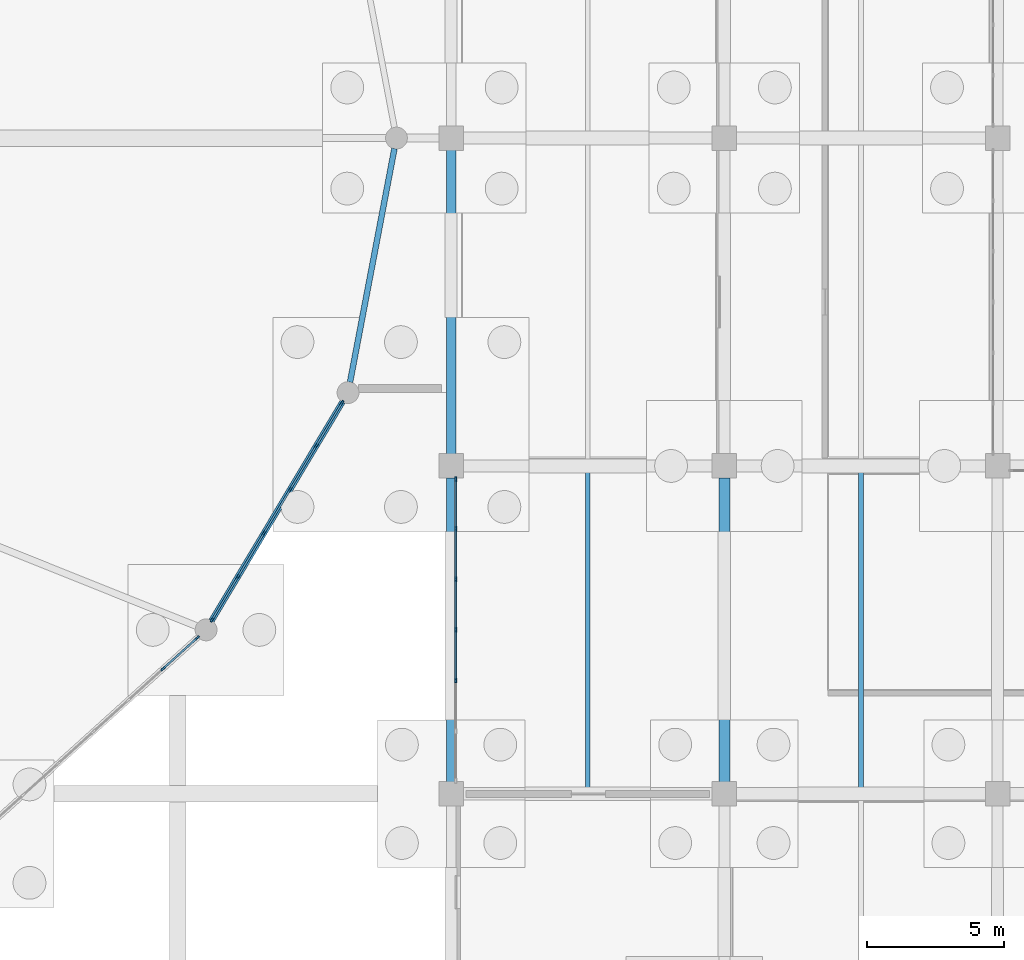
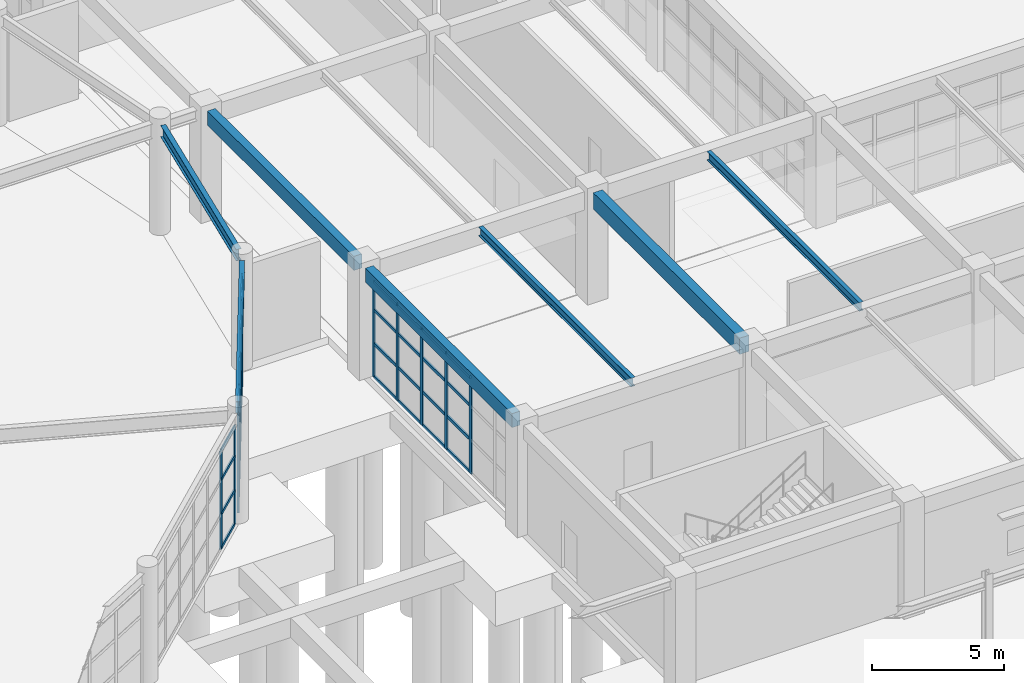
# One storey, part 43 of 99: 53 members, 7 beams, 3 elements without a shape of their own.
"""IFC4 building model written with IfcOpenShell, lengths in metres."""

from ifc_helpers import new_model, si_unit, direction, frame, origin, origin_2d, place, context, subcontext, project, spatial, rectangle, i_section, extrude, material, layer, layer_set, material_profile, profile_set, type_object, element, aggregate, save


model = new_model("IFC4")

# Units and contexts
model_context = context("Model", 3, precision=1e-05, world=origin(), true_north=direction((0.0, 1.0)))
body_context = subcontext(model_context, "Body", "Model", "MODEL_VIEW")
ifc_project = project(units=[si_unit("LENGTHUNIT", "METRE"), si_unit("AREAUNIT", "SQUARE_METRE"), si_unit("VOLUMEUNIT", "CUBIC_METRE"), si_unit("PLANEANGLEUNIT", "RADIAN"), si_unit("MASSUNIT", "GRAM", prefix="KILO")], contexts=[model_context])

# Site, building, storey
site_placement = place(None, origin())
site = spatial("IfcSite", under=ifc_project, at=site_placement, CompositionType="ELEMENT")
building_placement = place(site_placement, origin())
building = spatial("IfcBuilding", under=site, at=building_placement, Name="Kivolera Central Railway Station", CompositionType="ELEMENT")
storey_placement = place(building_placement, origin())
storey = spatial("IfcBuildingStorey", under=building, at=storey_placement, Name="L00", CompositionType="ELEMENT", Elevation=0.0)

# Beams
ifc_material_1 = material(Name="Steel S355", Category="steel")
ifc_material_profile_1 = material_profile(ifc_material_1, i_section(OverallWidth=0.179931640625, OverallDepth=0.39990234375, WebThickness=0.008544921875, FlangeThickness=0.013427734375, FilletRadius=0.02099609375, at=origin_2d()), Name="IPE 400")
ifc_profile_set_1 = profile_set([ifc_material_profile_1], Name="Steel S355")
beam_type_1 = type_object("IfcBeamType", Name="BM-JST-IPE400", PredefinedType="JOIST", material=ifc_profile_set_1)
for number, where, z_axis, x_axis, name in (
    (1, (123.0, 66.217041015625, 4.907958984375), (0.0, 1.0, 0.0), (-1.0, 0.0, 0.0), "L00 Floor Joist 12-13/F-G"),
    (2, (133.0, 66.217041015625, 4.907958984375), (0.0, 1.0, 0.0), (-1.0, 0.0, 0.0), "L00 Floor Joist 13-14/F-G"),
):
    element("IfcBeam", number, at=place(storey_placement, frame(where, z_axis=z_axis, x_axis=x_axis)), inside=storey, type_object=beam_type_1, Name=name, PredefinedType="JOIST", context=body_context, shape_type="SweptSolid", body=[
        extrude(i_section(OverallWidth=0.179931640625, OverallDepth=0.39990234375, WebThickness=0.008544921875, FlangeThickness=0.013427734375, FilletRadius=0.02099609375, at=origin_2d()), origin(), (0.0, 0.0, 1.0), 11.56591796875),
    ])
ifc_material_2 = material(Name="Concrete C40/50", Category="concrete")
ifc_material_profile_2 = material_profile(ifc_material_2, rectangle(XDim=0.39990234375, YDim=0.75, at=origin_2d()), Name="RC 400x750")
ifc_profile_set_2 = profile_set([ifc_material_profile_2], Name="Concrete C40/50")
beam_type_2 = type_object("IfcBeamType", Name="BM-RC-400x750", PredefinedType="BEAM", material=ifc_profile_set_2)
beam_1_placement = place(storey_placement, frame((128.0, 66.44189453125, 4.7451171875), z_axis=(0.0, 1.0, 0.0), x_axis=(-1.0, 0.0, 0.0)))
element("IfcBeam", 3, at=beam_1_placement, inside=storey, type_object=beam_type_2, Name="L00 Wing Y-Beam 13:F-G", PredefinedType="BEAM", context=body_context, shape_type="SweptSolid", body=[
    extrude(rectangle(XDim=0.39990234375, YDim=0.75, at=origin_2d()), origin(), (0.0, 0.0, 1.0), 11.1162109375),
])
ifc_material_profile_3 = material_profile(ifc_material_1, i_section(OverallWidth=0.209228515625, OverallDepth=0.533203125, WebThickness=0.010009765625, FlangeThickness=0.015625, FilletRadius=0.0126953125, at=origin_2d()), Name="UB 533x210x92")
ifc_profile_set_3 = profile_set([ifc_material_profile_3], Name="Steel S355")
beam_type_3 = type_object("IfcBeamType", Name="BM-SHD-UB533", PredefinedType="BEAM", material=ifc_profile_set_3)
beam_2_placement = place(storey_placement, frame((109.23291015625, 72.3349609375, 4.841064453125), z_axis=(0.513503459376, 0.858087523047, 0.0), x_axis=(-0.858087523047, 0.513503459376, 0.0)))
element("IfcBeam", 4, at=beam_2_placement, inside=storey, type_object=beam_type_3, Name="L00 Oval Perimeter Ring Beam 23", PredefinedType="BEAM", context=body_context, shape_type="SweptSolid", body=[
    extrude(i_section(OverallWidth=0.209228515625, OverallDepth=0.533203125, WebThickness=0.010009765625, FlangeThickness=0.015625, FilletRadius=0.0126953125, at=origin_2d()), origin(), (0.0, 0.0, 1.0), 9.338134765625),
])
beam_3_placement = place(storey_placement, frame((114.301025390625, 81.06591796875, 4.841064453125), z_axis=(0.186802767636, 0.982397437906, 0.0), x_axis=(-0.982397437906, 0.186802767636, 0.0)))
element("IfcBeam", 5, at=beam_3_placement, inside=storey, type_object=beam_type_3, Name="L00 Oval Perimeter Ring Beam 24", PredefinedType="BEAM", context=body_context, shape_type="SweptSolid", body=[
    extrude(i_section(OverallWidth=0.209228515625, OverallDepth=0.533203125, WebThickness=0.010009765625, FlangeThickness=0.015625, FilletRadius=0.0126953125, at=origin_2d()), origin(), (0.0, 0.0, 1.0), 8.704345703125),
])
ifc_material_profile_4 = material_profile(ifc_material_2, rectangle(XDim=0.35009765625, YDim=0.64990234375, at=origin_2d()), Name="RC 350x650")
ifc_profile_set_4 = profile_set([ifc_material_profile_4], Name="Concrete C40/50")
beam_type_4 = type_object("IfcBeamType", Name="BM-SPN-RC650", PredefinedType="SPANDREL", material=ifc_profile_set_4)
for number, where, z_axis, x_axis, name in (
    (6, (118.0, 66.44189453125, 4.794921875), (0.0, 1.0, 0.0), (-1.0, 0.0, 0.0), "L00 Wing Y-Beam 12:F-G"),
    (7, (118.0, 78.44189453125, 4.794921875), (0.0, 1.0, 0.0), (-1.0, 0.0, 0.0), "L00 Wing Y-Beam 12:G-H"),
):
    element("IfcBeam", number, at=place(storey_placement, frame(where, z_axis=z_axis, x_axis=x_axis)), inside=storey, type_object=beam_type_4, Name=name, PredefinedType="SPANDREL", context=body_context, shape_type="SweptSolid", body=[
        extrude(rectangle(XDim=0.35009765625, YDim=0.64990234375, at=origin_2d()), origin(), (0.0, 0.0, 1.0), 11.1162109375),
    ])

# Curtain wall, members
ifc_material_3 = material(Name="Anodised aluminium", Category="aluminium")
ifc_layer_1 = layer(ifc_material_3, 0.179931640625, Name="Anodised aluminium")
ifc_layer_set_1 = layer_set([ifc_layer_1], Name="Anodised aluminium")
curtain_wall_type_1 = type_object("IfcCurtainWallType", Name="CW-SYS-04", PredefinedType="NOTDEFINED", material=ifc_layer_set_1)
curtain_wall_1_placement = place(storey_placement, origin())
curtain_wall_1 = element("IfcCurtainWall", 8, at=curtain_wall_1_placement, inside=storey, type_object=curtain_wall_type_1, Name="L00 Curtain Wall CW-L00-OVL-21", PredefinedType="NOTDEFINED")
ifc_material_profile_5 = material_profile(ifc_material_3, rectangle(XDim=0.070068359375, YDim=0.179931640625, at=origin_2d()), Name="ALU MULL 70x180")
ifc_profile_set_5 = profile_set([ifc_material_profile_5], Name="Anodised aluminium")
member_type_1 = type_object("IfcMemberType", Name="CWM-MUL-1", PredefinedType="MULLION", material=ifc_profile_set_5)
member_1_placement = place(storey_placement, frame((108.7099609375, 71.70849609375, -0.0048828125), z_axis=(0.0, 0.0, 1.0), x_axis=(0.66992157428, -0.742431871833, 0.0)))
member_1 = element("IfcMember", 9, at=member_1_placement, type_object=member_type_1, Name="CW-04 mullion 1", PredefinedType="MULLION", context=body_context, shape_type="SweptSolid", body=[
    extrude(rectangle(XDim=0.070068359375, YDim=0.179931640625, at=origin_2d()), origin(), (0.0, 0.0, 1.0), 4.554931640625),
])
member_2_placement = place(storey_placement, frame((107.457763671875, 70.57861328125, -0.0048828125), z_axis=(0.0, 0.0, 1.0), x_axis=(0.66992157428, -0.742431871833, 0.0)))
member_2 = element("IfcMember", 10, at=member_2_placement, type_object=member_type_1, Name="CW-04 mullion 2", PredefinedType="MULLION", context=body_context, shape_type="SweptSolid", body=[
    extrude(rectangle(XDim=0.070068359375, YDim=0.179931640625, at=origin_2d()), origin(), (0.0, 0.0, 1.0), 4.554931640625),
])

ifc_layer_2 = layer(ifc_material_3, 0.179931640625, Name="Anodised aluminium")
ifc_layer_set_2 = layer_set([ifc_layer_2], Name="Anodised aluminium")
curtain_wall_type_2 = type_object("IfcCurtainWallType", Name="CW-SYS-01", PredefinedType="NOTDEFINED", material=ifc_layer_set_2)
curtain_wall_2_placement = place(storey_placement, origin())
curtain_wall_2 = element("IfcCurtainWall", 11, at=curtain_wall_2_placement, inside=storey, type_object=curtain_wall_type_2, Name="L00 Curtain Wall CW-L00-OVL-22", PredefinedType="NOTDEFINED")
member_3_placement = place(storey_placement, frame((114.005126953125, 80.31005859375, -0.0048828125), z_axis=(0.0, 0.0, 1.0), x_axis=(0.858117186396, -0.513453887327, 0.0)))
member_3 = element("IfcMember", 12, at=member_3_placement, type_object=member_type_1, Name="CW-01 mullion 1", PredefinedType="MULLION", context=body_context, shape_type="SweptSolid", body=[
    extrude(rectangle(XDim=0.070068359375, YDim=0.179931640625, at=origin_2d()), origin(), (0.0, 0.0, 1.0), 4.554931640625),
])
member_4_placement = place(storey_placement, frame((113.06591796875, 78.740478515625, -0.0048828125), z_axis=(0.0, 0.0, 1.0), x_axis=(0.858117186396, -0.513453887327, 0.0)))
member_4 = element("IfcMember", 13, at=member_4_placement, type_object=member_type_1, Name="CW-01 mullion 2", PredefinedType="MULLION", context=body_context, shape_type="SweptSolid", body=[
    extrude(rectangle(XDim=0.070068359375, YDim=0.179931640625, at=origin_2d()), origin(), (0.0, 0.0, 1.0), 4.554931640625),
])
member_5_placement = place(storey_placement, frame((112.10888671875, 77.14111328125, -0.0048828125), z_axis=(0.0, 0.0, 1.0), x_axis=(0.858117186396, -0.513453887327, 0.0)))
member_5 = element("IfcMember", 14, at=member_5_placement, type_object=member_type_1, Name="CW-01 mullion 3", PredefinedType="MULLION", context=body_context, shape_type="SweptSolid", body=[
    extrude(rectangle(XDim=0.070068359375, YDim=0.179931640625, at=origin_2d()), origin(), (0.0, 0.0, 1.0), 4.554931640625),
])
member_6_placement = place(storey_placement, frame((111.152099609375, 75.541748046875, -0.0048828125), z_axis=(0.0, 0.0, 1.0), x_axis=(0.858117186396, -0.513453887327, 0.0)))
member_6 = element("IfcMember", 15, at=member_6_placement, type_object=member_type_1, Name="CW-01 mullion 4", PredefinedType="MULLION", context=body_context, shape_type="SweptSolid", body=[
    extrude(rectangle(XDim=0.070068359375, YDim=0.179931640625, at=origin_2d()), origin(), (0.0, 0.0, 1.0), 4.554931640625),
])
member_7_placement = place(storey_placement, frame((110.195068359375, 73.9423828125, -0.0048828125), z_axis=(0.0, 0.0, 1.0), x_axis=(0.858117186396, -0.513453887327, 0.0)))
member_7 = element("IfcMember", 16, at=member_7_placement, type_object=member_type_1, Name="CW-01 mullion 5", PredefinedType="MULLION", context=body_context, shape_type="SweptSolid", body=[
    extrude(rectangle(XDim=0.070068359375, YDim=0.179931640625, at=origin_2d()), origin(), (0.0, 0.0, 1.0), 4.554931640625),
])
member_8_placement = place(storey_placement, frame((109.255859375, 72.373046875, -0.0048828125), z_axis=(0.0, 0.0, 1.0), x_axis=(0.858117186396, -0.513453887327, 0.0)))
member_8 = element("IfcMember", 17, at=member_8_placement, type_object=member_type_1, Name="CW-01 mullion 6", PredefinedType="MULLION", context=body_context, shape_type="SweptSolid", body=[
    extrude(rectangle(XDim=0.070068359375, YDim=0.179931640625, at=origin_2d()), origin(), (0.0, 0.0, 1.0), 4.554931640625),
])

ifc_layer_3 = layer(ifc_material_3, 0.179931640625, Name="Anodised aluminium")
ifc_layer_set_3 = layer_set([ifc_layer_3], Name="Anodised aluminium")
curtain_wall_type_3 = type_object("IfcCurtainWallType", Name="CW-SYS-23", PredefinedType="NOTDEFINED", material=ifc_layer_set_3)
curtain_wall_3_placement = place(storey_placement, origin())
curtain_wall_3 = element("IfcCurtainWall", 18, at=curtain_wall_3_placement, inside=storey, type_object=curtain_wall_type_3, Name="L00 Curtain Wall CW-L00-WEST-F", PredefinedType="NOTDEFINED")
member_9_placement = place(storey_placement, frame((118.169921875, 70.1484375, -0.0048828125), z_axis=(0.0, 0.0, 1.0), x_axis=(-1.0, 0.0, 0.0)))
member_9 = element("IfcMember", 19, at=member_9_placement, type_object=member_type_1, Name="CW-23 mullion 3", PredefinedType="MULLION", context=body_context, shape_type="SweptSolid", body=[
    extrude(rectangle(XDim=0.070068359375, YDim=0.179931640625, at=origin_2d()), origin(), (0.0, 0.0, 1.0), 4.462890625),
])
member_10_placement = place(storey_placement, frame((118.169921875, 72.0, -0.0048828125), z_axis=(0.0, 0.0, 1.0), x_axis=(-1.0, 0.0, 0.0)))
member_10 = element("IfcMember", 20, at=member_10_placement, type_object=member_type_1, Name="CW-23 mullion 4", PredefinedType="MULLION", context=body_context, shape_type="SweptSolid", body=[
    extrude(rectangle(XDim=0.070068359375, YDim=0.179931640625, at=origin_2d()), origin(), (0.0, 0.0, 1.0), 4.462890625),
])
member_11_placement = place(storey_placement, frame((118.169921875, 73.8515625, -0.0048828125), z_axis=(0.0, 0.0, 1.0), x_axis=(-1.0, 0.0, 0.0)))
member_11 = element("IfcMember", 21, at=member_11_placement, type_object=member_type_1, Name="CW-23 mullion 5", PredefinedType="MULLION", context=body_context, shape_type="SweptSolid", body=[
    extrude(rectangle(XDim=0.070068359375, YDim=0.179931640625, at=origin_2d()), origin(), (0.0, 0.0, 1.0), 4.462890625),
])
member_12_placement = place(storey_placement, frame((118.169921875, 75.703369140625, -0.0048828125), z_axis=(0.0, 0.0, 1.0), x_axis=(-1.0, 0.0, 0.0)))
member_12 = element("IfcMember", 22, at=member_12_placement, type_object=member_type_1, Name="CW-23 mullion 6", PredefinedType="MULLION", context=body_context, shape_type="SweptSolid", body=[
    extrude(rectangle(XDim=0.070068359375, YDim=0.179931640625, at=origin_2d()), origin(), (0.0, 0.0, 1.0), 4.462890625),
])
member_13_placement = place(storey_placement, frame((118.169921875, 77.52001953125, -0.0048828125), z_axis=(0.0, 0.0, 1.0), x_axis=(-1.0, 0.0, 0.0)))
member_13 = element("IfcMember", 23, at=member_13_placement, type_object=member_type_1, Name="CW-23 mullion 7", PredefinedType="MULLION", context=body_context, shape_type="SweptSolid", body=[
    extrude(rectangle(XDim=0.070068359375, YDim=0.179931640625, at=origin_2d()), origin(), (0.0, 0.0, 1.0), 4.462890625),
])

# Member
ifc_material_profile_6 = material_profile(ifc_material_3, rectangle(XDim=0.070068359375, YDim=0.139892578125, at=origin_2d()), Name="ALU TRAN 70x140")
ifc_profile_set_6 = profile_set([ifc_material_profile_6], Name="Anodised aluminium")
member_type_2 = type_object("IfcMemberType", Name="CWM-TRN-1", PredefinedType="USERDEFINED", material=ifc_profile_set_6)
member_14_placement = place(storey_placement, frame((108.68408203125, 71.68505859375, 0.034912109375), z_axis=(-0.742422429893, -0.66993203804, 0.0), x_axis=(0.66993203804, -0.742422429893, 0.0)))
member_14 = element("IfcMember", 24, at=member_14_placement, type_object=member_type_2, Name="CW-04 transom 1.1", ObjectType="TRANSOM", PredefinedType="USERDEFINED", context=body_context, shape_type="SweptSolid", body=[
    extrude(rectangle(XDim=0.070068359375, YDim=0.139892578125, at=origin_2d()), origin(), (0.0, 0.0, 1.0), 1.61669921875),
])

member_15_placement = place(storey_placement, frame((108.68408203125, 71.68505859375, 1.592529296875), z_axis=(-0.742422429893, -0.66993203804, 0.0), x_axis=(0.66993203804, -0.742422429893, 0.0)))
member_15 = element("IfcMember", 25, at=member_15_placement, type_object=member_type_2, Name="CW-04 transom 1.2", ObjectType="TRANSOM", PredefinedType="USERDEFINED", context=body_context, shape_type="SweptSolid", body=[
    extrude(rectangle(XDim=0.070068359375, YDim=0.139892578125, at=origin_2d()), origin(), (0.0, 0.0, 1.0), 1.61669921875),
])

member_16_placement = place(storey_placement, frame((108.68408203125, 71.68505859375, 3.18505859375), z_axis=(-0.742422429893, -0.66993203804, 0.0), x_axis=(0.66993203804, -0.742422429893, 0.0)))
member_16 = element("IfcMember", 26, at=member_16_placement, type_object=member_type_2, Name="CW-04 transom 1.3", ObjectType="TRANSOM", PredefinedType="USERDEFINED", context=body_context, shape_type="SweptSolid", body=[
    extrude(rectangle(XDim=0.070068359375, YDim=0.139892578125, at=origin_2d()), origin(), (0.0, 0.0, 1.0), 1.61669921875),
])

member_17_placement = place(storey_placement, frame((108.68408203125, 71.68505859375, 4.514892578125), z_axis=(-0.742422429893, -0.66993203804, 0.0), x_axis=(0.66993203804, -0.742422429893, 0.0)))
member_17 = element("IfcMember", 27, at=member_17_placement, type_object=member_type_2, Name="CW-04 transom 1.4", ObjectType="TRANSOM", PredefinedType="USERDEFINED", context=body_context, shape_type="SweptSolid", body=[
    extrude(rectangle(XDim=0.070068359375, YDim=0.139892578125, at=origin_2d()), origin(), (0.0, 0.0, 1.0), 1.61669921875),
])

aggregate(curtain_wall_1, [member_1, member_2, member_14, member_15, member_16, member_17])

member_18_placement = place(storey_placement, frame((113.987060546875, 80.280029296875, 0.034912109375), z_axis=(-0.513454309114, -0.85811693402, 0.0), x_axis=(0.85811693402, -0.513454309114, 0.0)))
member_18 = element("IfcMember", 28, at=member_18_placement, type_object=member_type_2, Name="CW-01 transom 1.1", ObjectType="TRANSOM", PredefinedType="USERDEFINED", context=body_context, shape_type="SweptSolid", body=[
    extrude(rectangle(XDim=0.070068359375, YDim=0.139892578125, at=origin_2d()), origin(), (0.0, 0.0, 1.0), 1.7587890625),
])

member_19_placement = place(storey_placement, frame((113.987060546875, 80.280029296875, 1.592529296875), z_axis=(-0.513454309114, -0.85811693402, 0.0), x_axis=(0.85811693402, -0.513454309114, 0.0)))
member_19 = element("IfcMember", 29, at=member_19_placement, type_object=member_type_2, Name="CW-01 transom 1.2", ObjectType="TRANSOM", PredefinedType="USERDEFINED", context=body_context, shape_type="SweptSolid", body=[
    extrude(rectangle(XDim=0.070068359375, YDim=0.139892578125, at=origin_2d()), origin(), (0.0, 0.0, 1.0), 1.7587890625),
])

member_20_placement = place(storey_placement, frame((113.987060546875, 80.280029296875, 3.18505859375), z_axis=(-0.513454309114, -0.85811693402, 0.0), x_axis=(0.85811693402, -0.513454309114, 0.0)))
member_20 = element("IfcMember", 30, at=member_20_placement, type_object=member_type_2, Name="CW-01 transom 1.3", ObjectType="TRANSOM", PredefinedType="USERDEFINED", context=body_context, shape_type="SweptSolid", body=[
    extrude(rectangle(XDim=0.070068359375, YDim=0.139892578125, at=origin_2d()), origin(), (0.0, 0.0, 1.0), 1.7587890625),
])

member_21_placement = place(storey_placement, frame((113.987060546875, 80.280029296875, 4.514892578125), z_axis=(-0.513454309114, -0.85811693402, 0.0), x_axis=(0.85811693402, -0.513454309114, 0.0)))
member_21 = element("IfcMember", 31, at=member_21_placement, type_object=member_type_2, Name="CW-01 transom 1.4", ObjectType="TRANSOM", PredefinedType="USERDEFINED", context=body_context, shape_type="SweptSolid", body=[
    extrude(rectangle(XDim=0.070068359375, YDim=0.139892578125, at=origin_2d()), origin(), (0.0, 0.0, 1.0), 1.7587890625),
])

member_22_placement = place(storey_placement, frame((113.048095703125, 78.71044921875, 0.034912109375), z_axis=(-0.513494690452, -0.858092770554, 0.0), x_axis=(0.858092770554, -0.513494690452, 0.0)))
member_22 = element("IfcMember", 32, at=member_22_placement, type_object=member_type_2, Name="CW-01 transom 2.1", ObjectType="TRANSOM", PredefinedType="USERDEFINED", context=body_context, shape_type="SweptSolid", body=[
    extrude(rectangle(XDim=0.070068359375, YDim=0.139892578125, at=origin_2d()), origin(), (0.0, 0.0, 1.0), 1.7939453125),
])

member_23_placement = place(storey_placement, frame((113.048095703125, 78.71044921875, 1.592529296875), z_axis=(-0.513494690452, -0.858092770554, 0.0), x_axis=(0.858092770554, -0.513494690452, 0.0)))
member_23 = element("IfcMember", 33, at=member_23_placement, type_object=member_type_2, Name="CW-01 transom 2.2", ObjectType="TRANSOM", PredefinedType="USERDEFINED", context=body_context, shape_type="SweptSolid", body=[
    extrude(rectangle(XDim=0.070068359375, YDim=0.139892578125, at=origin_2d()), origin(), (0.0, 0.0, 1.0), 1.7939453125),
])

member_24_placement = place(storey_placement, frame((113.048095703125, 78.71044921875, 3.18505859375), z_axis=(-0.513494690452, -0.858092770554, 0.0), x_axis=(0.858092770554, -0.513494690452, 0.0)))
member_24 = element("IfcMember", 34, at=member_24_placement, type_object=member_type_2, Name="CW-01 transom 2.3", ObjectType="TRANSOM", PredefinedType="USERDEFINED", context=body_context, shape_type="SweptSolid", body=[
    extrude(rectangle(XDim=0.070068359375, YDim=0.139892578125, at=origin_2d()), origin(), (0.0, 0.0, 1.0), 1.7939453125),
])

member_25_placement = place(storey_placement, frame((113.048095703125, 78.71044921875, 4.514892578125), z_axis=(-0.513494690452, -0.858092770554, 0.0), x_axis=(0.858092770554, -0.513494690452, 0.0)))
member_25 = element("IfcMember", 35, at=member_25_placement, type_object=member_type_2, Name="CW-01 transom 2.4", ObjectType="TRANSOM", PredefinedType="USERDEFINED", context=body_context, shape_type="SweptSolid", body=[
    extrude(rectangle(XDim=0.070068359375, YDim=0.139892578125, at=origin_2d()), origin(), (0.0, 0.0, 1.0), 1.7939453125),
])

member_26_placement = place(storey_placement, frame((112.091064453125, 77.111083984375, 0.034912109375), z_axis=(-0.513494690452, -0.858092770554, 0.0), x_axis=(0.858092770554, -0.513494690452, 0.0)))
member_26 = element("IfcMember", 36, at=member_26_placement, type_object=member_type_2, Name="CW-01 transom 3.1", ObjectType="TRANSOM", PredefinedType="USERDEFINED", context=body_context, shape_type="SweptSolid", body=[
    extrude(rectangle(XDim=0.070068359375, YDim=0.139892578125, at=origin_2d()), origin(), (0.0, 0.0, 1.0), 1.7939453125),
])

member_27_placement = place(storey_placement, frame((112.091064453125, 77.111083984375, 1.592529296875), z_axis=(-0.513494690452, -0.858092770554, 0.0), x_axis=(0.858092770554, -0.513494690452, 0.0)))
member_27 = element("IfcMember", 37, at=member_27_placement, type_object=member_type_2, Name="CW-01 transom 3.2", ObjectType="TRANSOM", PredefinedType="USERDEFINED", context=body_context, shape_type="SweptSolid", body=[
    extrude(rectangle(XDim=0.070068359375, YDim=0.139892578125, at=origin_2d()), origin(), (0.0, 0.0, 1.0), 1.7939453125),
])

member_28_placement = place(storey_placement, frame((112.091064453125, 77.111083984375, 3.18505859375), z_axis=(-0.513494690452, -0.858092770554, 0.0), x_axis=(0.858092770554, -0.513494690452, 0.0)))
member_28 = element("IfcMember", 38, at=member_28_placement, type_object=member_type_2, Name="CW-01 transom 3.3", ObjectType="TRANSOM", PredefinedType="USERDEFINED", context=body_context, shape_type="SweptSolid", body=[
    extrude(rectangle(XDim=0.070068359375, YDim=0.139892578125, at=origin_2d()), origin(), (0.0, 0.0, 1.0), 1.7939453125),
])

member_29_placement = place(storey_placement, frame((112.091064453125, 77.111083984375, 4.514892578125), z_axis=(-0.513494690452, -0.858092770554, 0.0), x_axis=(0.858092770554, -0.513494690452, 0.0)))
member_29 = element("IfcMember", 39, at=member_29_placement, type_object=member_type_2, Name="CW-01 transom 3.4", ObjectType="TRANSOM", PredefinedType="USERDEFINED", context=body_context, shape_type="SweptSolid", body=[
    extrude(rectangle(XDim=0.070068359375, YDim=0.139892578125, at=origin_2d()), origin(), (0.0, 0.0, 1.0), 1.7939453125),
])

member_30_placement = place(storey_placement, frame((111.134033203125, 75.51171875, 0.034912109375), z_axis=(-0.513494690452, -0.858092770554, 0.0), x_axis=(0.858092770554, -0.513494690452, 0.0)))
member_30 = element("IfcMember", 40, at=member_30_placement, type_object=member_type_2, Name="CW-01 transom 4.1", ObjectType="TRANSOM", PredefinedType="USERDEFINED", context=body_context, shape_type="SweptSolid", body=[
    extrude(rectangle(XDim=0.070068359375, YDim=0.139892578125, at=origin_2d()), origin(), (0.0, 0.0, 1.0), 1.7939453125),
])

member_31_placement = place(storey_placement, frame((111.134033203125, 75.51171875, 1.592529296875), z_axis=(-0.513494690452, -0.858092770554, 0.0), x_axis=(0.858092770554, -0.513494690452, 0.0)))
member_31 = element("IfcMember", 41, at=member_31_placement, type_object=member_type_2, Name="CW-01 transom 4.2", ObjectType="TRANSOM", PredefinedType="USERDEFINED", context=body_context, shape_type="SweptSolid", body=[
    extrude(rectangle(XDim=0.070068359375, YDim=0.139892578125, at=origin_2d()), origin(), (0.0, 0.0, 1.0), 1.7939453125),
])

member_32_placement = place(storey_placement, frame((111.134033203125, 75.51171875, 3.18505859375), z_axis=(-0.513494690452, -0.858092770554, 0.0), x_axis=(0.858092770554, -0.513494690452, 0.0)))
member_32 = element("IfcMember", 42, at=member_32_placement, type_object=member_type_2, Name="CW-01 transom 4.3", ObjectType="TRANSOM", PredefinedType="USERDEFINED", context=body_context, shape_type="SweptSolid", body=[
    extrude(rectangle(XDim=0.070068359375, YDim=0.139892578125, at=origin_2d()), origin(), (0.0, 0.0, 1.0), 1.7939453125),
])

member_33_placement = place(storey_placement, frame((111.134033203125, 75.51171875, 4.514892578125), z_axis=(-0.513494690452, -0.858092770554, 0.0), x_axis=(0.858092770554, -0.513494690452, 0.0)))
member_33 = element("IfcMember", 43, at=member_33_placement, type_object=member_type_2, Name="CW-01 transom 4.4", ObjectType="TRANSOM", PredefinedType="USERDEFINED", context=body_context, shape_type="SweptSolid", body=[
    extrude(rectangle(XDim=0.070068359375, YDim=0.139892578125, at=origin_2d()), origin(), (0.0, 0.0, 1.0), 1.7939453125),
])

member_34_placement = place(storey_placement, frame((110.177001953125, 73.912353515625, 0.034912109375), z_axis=(-0.513454309114, -0.85811693402, 0.0), x_axis=(0.85811693402, -0.513454309114, 0.0)))
member_34 = element("IfcMember", 44, at=member_34_placement, type_object=member_type_2, Name="CW-01 transom 5.1", ObjectType="TRANSOM", PredefinedType="USERDEFINED", context=body_context, shape_type="SweptSolid", body=[
    extrude(rectangle(XDim=0.070068359375, YDim=0.139892578125, at=origin_2d()), origin(), (0.0, 0.0, 1.0), 1.7587890625),
])

member_35_placement = place(storey_placement, frame((110.177001953125, 73.912353515625, 1.592529296875), z_axis=(-0.513454309114, -0.85811693402, 0.0), x_axis=(0.85811693402, -0.513454309114, 0.0)))
member_35 = element("IfcMember", 45, at=member_35_placement, type_object=member_type_2, Name="CW-01 transom 5.2", ObjectType="TRANSOM", PredefinedType="USERDEFINED", context=body_context, shape_type="SweptSolid", body=[
    extrude(rectangle(XDim=0.070068359375, YDim=0.139892578125, at=origin_2d()), origin(), (0.0, 0.0, 1.0), 1.7587890625),
])

member_36_placement = place(storey_placement, frame((110.177001953125, 73.912353515625, 3.18505859375), z_axis=(-0.513454309114, -0.85811693402, 0.0), x_axis=(0.85811693402, -0.513454309114, 0.0)))
member_36 = element("IfcMember", 46, at=member_36_placement, type_object=member_type_2, Name="CW-01 transom 5.3", ObjectType="TRANSOM", PredefinedType="USERDEFINED", context=body_context, shape_type="SweptSolid", body=[
    extrude(rectangle(XDim=0.070068359375, YDim=0.139892578125, at=origin_2d()), origin(), (0.0, 0.0, 1.0), 1.7587890625),
])

member_37_placement = place(storey_placement, frame((110.177001953125, 73.912353515625, 4.514892578125), z_axis=(-0.513454309114, -0.85811693402, 0.0), x_axis=(0.85811693402, -0.513454309114, 0.0)))
member_37 = element("IfcMember", 47, at=member_37_placement, type_object=member_type_2, Name="CW-01 transom 5.4", ObjectType="TRANSOM", PredefinedType="USERDEFINED", context=body_context, shape_type="SweptSolid", body=[
    extrude(rectangle(XDim=0.070068359375, YDim=0.139892578125, at=origin_2d()), origin(), (0.0, 0.0, 1.0), 1.7587890625),
])

aggregate(curtain_wall_2, [member_3, member_4, member_5, member_6, member_7, member_8, member_18, member_19, member_20, member_21, member_22, member_23, member_24, member_25, member_26, member_27, member_28, member_29, member_30, member_31, member_32, member_33, member_34, member_35, member_36, member_37])

member_38_placement = place(storey_placement, frame((118.169921875, 70.183349609375, 0.034912109375), z_axis=(0.0, 1.0, 0.0), x_axis=(-1.0, 0.0, 0.0)))
member_38 = element("IfcMember", 48, at=member_38_placement, type_object=member_type_2, Name="CW-23 transom 3.1", ObjectType="TRANSOM", PredefinedType="USERDEFINED", context=body_context, shape_type="SweptSolid", body=[
    extrude(rectangle(XDim=0.070068359375, YDim=0.139892578125, at=origin_2d()), origin(), (0.0, 0.0, 1.0), 1.78173828125),
])

member_39_placement = place(storey_placement, frame((118.169921875, 70.183349609375, 1.560302734375), z_axis=(0.0, 1.0, 0.0), x_axis=(-1.0, 0.0, 0.0)))
member_39 = element("IfcMember", 49, at=member_39_placement, type_object=member_type_2, Name="CW-23 transom 3.2", ObjectType="TRANSOM", PredefinedType="USERDEFINED", context=body_context, shape_type="SweptSolid", body=[
    extrude(rectangle(XDim=0.070068359375, YDim=0.139892578125, at=origin_2d()), origin(), (0.0, 0.0, 1.0), 1.78173828125),
])

member_40_placement = place(storey_placement, frame((118.169921875, 70.183349609375, 3.12060546875), z_axis=(0.0, 1.0, 0.0), x_axis=(-1.0, 0.0, 0.0)))
member_40 = element("IfcMember", 50, at=member_40_placement, type_object=member_type_2, Name="CW-23 transom 3.3", ObjectType="TRANSOM", PredefinedType="USERDEFINED", context=body_context, shape_type="SweptSolid", body=[
    extrude(rectangle(XDim=0.070068359375, YDim=0.139892578125, at=origin_2d()), origin(), (0.0, 0.0, 1.0), 1.78173828125),
])

member_41_placement = place(storey_placement, frame((118.169921875, 70.183349609375, 4.423095703125), z_axis=(0.0, 1.0, 0.0), x_axis=(-1.0, 0.0, 0.0)))
member_41 = element("IfcMember", 51, at=member_41_placement, type_object=member_type_2, Name="CW-23 transom 3.4", ObjectType="TRANSOM", PredefinedType="USERDEFINED", context=body_context, shape_type="SweptSolid", body=[
    extrude(rectangle(XDim=0.070068359375, YDim=0.139892578125, at=origin_2d()), origin(), (0.0, 0.0, 1.0), 1.78173828125),
])

member_42_placement = place(storey_placement, frame((118.169921875, 72.034912109375, 0.034912109375), z_axis=(0.0, 1.0, 0.0), x_axis=(-1.0, 0.0, 0.0)))
member_42 = element("IfcMember", 52, at=member_42_placement, type_object=member_type_2, Name="CW-23 transom 4.1", ObjectType="TRANSOM", PredefinedType="USERDEFINED", context=body_context, shape_type="SweptSolid", body=[
    extrude(rectangle(XDim=0.070068359375, YDim=0.139892578125, at=origin_2d()), origin(), (0.0, 0.0, 1.0), 1.78173828125),
])

member_43_placement = place(storey_placement, frame((118.169921875, 72.034912109375, 1.560302734375), z_axis=(0.0, 1.0, 0.0), x_axis=(-1.0, 0.0, 0.0)))
member_43 = element("IfcMember", 53, at=member_43_placement, type_object=member_type_2, Name="CW-23 transom 4.2", ObjectType="TRANSOM", PredefinedType="USERDEFINED", context=body_context, shape_type="SweptSolid", body=[
    extrude(rectangle(XDim=0.070068359375, YDim=0.139892578125, at=origin_2d()), origin(), (0.0, 0.0, 1.0), 1.78173828125),
])

member_44_placement = place(storey_placement, frame((118.169921875, 72.034912109375, 3.12060546875), z_axis=(0.0, 1.0, 0.0), x_axis=(-1.0, 0.0, 0.0)))
member_44 = element("IfcMember", 54, at=member_44_placement, type_object=member_type_2, Name="CW-23 transom 4.3", ObjectType="TRANSOM", PredefinedType="USERDEFINED", context=body_context, shape_type="SweptSolid", body=[
    extrude(rectangle(XDim=0.070068359375, YDim=0.139892578125, at=origin_2d()), origin(), (0.0, 0.0, 1.0), 1.78173828125),
])

member_45_placement = place(storey_placement, frame((118.169921875, 72.034912109375, 4.423095703125), z_axis=(0.0, 1.0, 0.0), x_axis=(-1.0, 0.0, 0.0)))
member_45 = element("IfcMember", 55, at=member_45_placement, type_object=member_type_2, Name="CW-23 transom 4.4", ObjectType="TRANSOM", PredefinedType="USERDEFINED", context=body_context, shape_type="SweptSolid", body=[
    extrude(rectangle(XDim=0.070068359375, YDim=0.139892578125, at=origin_2d()), origin(), (0.0, 0.0, 1.0), 1.78173828125),
])

member_46_placement = place(storey_placement, frame((118.169921875, 73.88671875, 0.034912109375), z_axis=(0.0, 1.0, 0.0), x_axis=(-1.0, 0.0, 0.0)))
member_46 = element("IfcMember", 56, at=member_46_placement, type_object=member_type_2, Name="CW-23 transom 5.1", ObjectType="TRANSOM", PredefinedType="USERDEFINED", context=body_context, shape_type="SweptSolid", body=[
    extrude(rectangle(XDim=0.070068359375, YDim=0.139892578125, at=origin_2d()), origin(), (0.0, 0.0, 1.0), 1.781494140625),
])

member_47_placement = place(storey_placement, frame((118.169921875, 73.88671875, 1.560302734375), z_axis=(0.0, 1.0, 0.0), x_axis=(-1.0, 0.0, 0.0)))
member_47 = element("IfcMember", 57, at=member_47_placement, type_object=member_type_2, Name="CW-23 transom 5.2", ObjectType="TRANSOM", PredefinedType="USERDEFINED", context=body_context, shape_type="SweptSolid", body=[
    extrude(rectangle(XDim=0.070068359375, YDim=0.139892578125, at=origin_2d()), origin(), (0.0, 0.0, 1.0), 1.781494140625),
])

member_48_placement = place(storey_placement, frame((118.169921875, 73.88671875, 3.12060546875), z_axis=(0.0, 1.0, 0.0), x_axis=(-1.0, 0.0, 0.0)))
member_48 = element("IfcMember", 58, at=member_48_placement, type_object=member_type_2, Name="CW-23 transom 5.3", ObjectType="TRANSOM", PredefinedType="USERDEFINED", context=body_context, shape_type="SweptSolid", body=[
    extrude(rectangle(XDim=0.070068359375, YDim=0.139892578125, at=origin_2d()), origin(), (0.0, 0.0, 1.0), 1.781494140625),
])

member_49_placement = place(storey_placement, frame((118.169921875, 73.88671875, 4.423095703125), z_axis=(0.0, 1.0, 0.0), x_axis=(-1.0, 0.0, 0.0)))
member_49 = element("IfcMember", 59, at=member_49_placement, type_object=member_type_2, Name="CW-23 transom 5.4", ObjectType="TRANSOM", PredefinedType="USERDEFINED", context=body_context, shape_type="SweptSolid", body=[
    extrude(rectangle(XDim=0.070068359375, YDim=0.139892578125, at=origin_2d()), origin(), (0.0, 0.0, 1.0), 1.781494140625),
])

member_50_placement = place(storey_placement, frame((118.169921875, 75.73828125, 0.034912109375), z_axis=(0.0, 1.0, 0.0), x_axis=(-1.0, 0.0, 0.0)))
member_50 = element("IfcMember", 60, at=member_50_placement, type_object=member_type_2, Name="CW-23 transom 6.1", ObjectType="TRANSOM", PredefinedType="USERDEFINED", context=body_context, shape_type="SweptSolid", body=[
    extrude(rectangle(XDim=0.070068359375, YDim=0.139892578125, at=origin_2d()), origin(), (0.0, 0.0, 1.0), 1.746826171875),
])

member_51_placement = place(storey_placement, frame((118.169921875, 75.73828125, 1.560302734375), z_axis=(0.0, 1.0, 0.0), x_axis=(-1.0, 0.0, 0.0)))
member_51 = element("IfcMember", 61, at=member_51_placement, type_object=member_type_2, Name="CW-23 transom 6.2", ObjectType="TRANSOM", PredefinedType="USERDEFINED", context=body_context, shape_type="SweptSolid", body=[
    extrude(rectangle(XDim=0.070068359375, YDim=0.139892578125, at=origin_2d()), origin(), (0.0, 0.0, 1.0), 1.746826171875),
])

member_52_placement = place(storey_placement, frame((118.169921875, 75.73828125, 3.12060546875), z_axis=(0.0, 1.0, 0.0), x_axis=(-1.0, 0.0, 0.0)))
member_52 = element("IfcMember", 62, at=member_52_placement, type_object=member_type_2, Name="CW-23 transom 6.3", ObjectType="TRANSOM", PredefinedType="USERDEFINED", context=body_context, shape_type="SweptSolid", body=[
    extrude(rectangle(XDim=0.070068359375, YDim=0.139892578125, at=origin_2d()), origin(), (0.0, 0.0, 1.0), 1.746826171875),
])

member_53_placement = place(storey_placement, frame((118.169921875, 75.73828125, 4.423095703125), z_axis=(0.0, 1.0, 0.0), x_axis=(-1.0, 0.0, 0.0)))
member_53 = element("IfcMember", 63, at=member_53_placement, type_object=member_type_2, Name="CW-23 transom 6.4", ObjectType="TRANSOM", PredefinedType="USERDEFINED", context=body_context, shape_type="SweptSolid", body=[
    extrude(rectangle(XDim=0.070068359375, YDim=0.139892578125, at=origin_2d()), origin(), (0.0, 0.0, 1.0), 1.746826171875),
])

aggregate(curtain_wall_3, [member_9, member_10, member_11, member_12, member_13, member_38, member_39, member_40, member_41, member_42, member_43, member_44, member_45, member_46, member_47, member_48, member_49, member_50, member_51, member_52, member_53])

save(model, "model.ifc")
